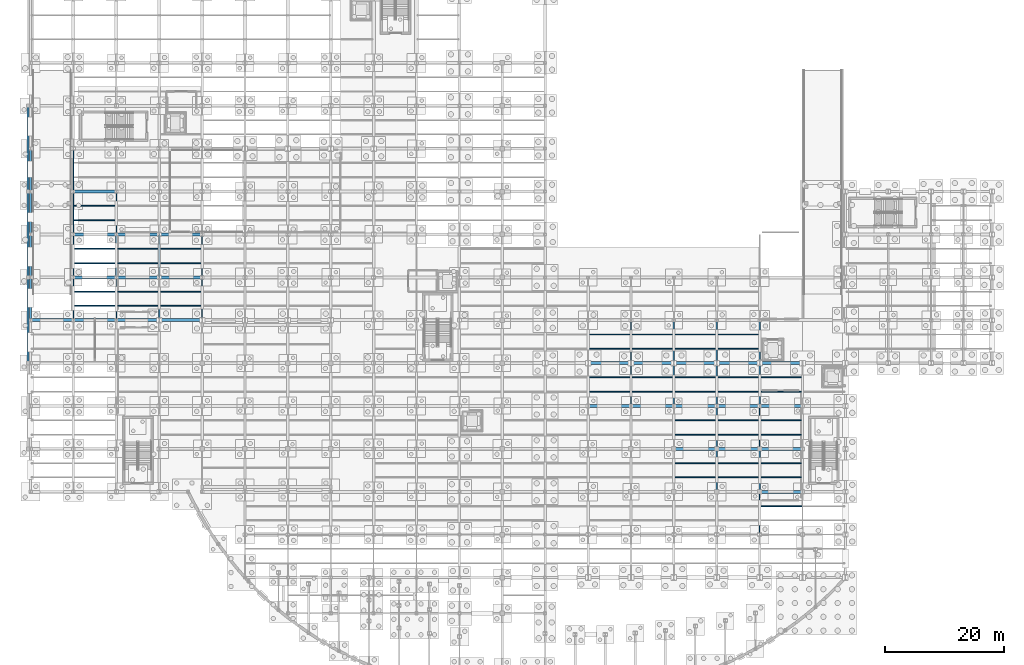
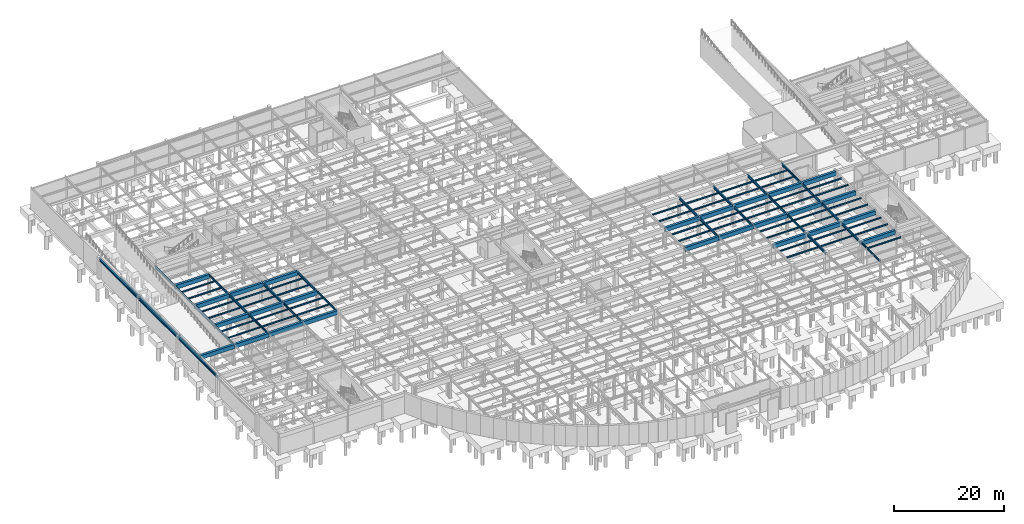
# One storey, part 36 of 64: 101 beams.
"""IFC4 building model written with IfcOpenShell, lengths in metres."""

import ifcopenshell
import ifcopenshell.guid

model = None  # the IFC model being written
_history = None  # IfcOwnerHistory: only IFC2X3 demands one
_inside = {}  # id of a spatial element -> (the spatial element, [elements in it])
_under = {}  # id of a project, library or spatial element -> (it, [spatial elements below it])
_declared = {}  # id of a project -> (the project, [libraries it declares])
_typed = {}  # id of a type object -> (the type object, [elements of that type])
_made_of = {}  # id of a material, layer set ... -> (it, [elements and type objects made of it])


def new_model(schema):
    """Start an empty IFC model of exactly this schema.

    Asked for "IFC4X3", IfcOpenShell would pick the latest addendum, in which some entities
    have other attributes; the version numbers below select the first issue.
    IFC2X3 requires an IfcOwnerHistory on every rooted entity: one is made here for all.
    """
    global model, _history
    if schema == "IFC4X3":
        model = ifcopenshell.file(schema_version=(4, 3, 0, 0))
    else:
        model = ifcopenshell.file(schema=schema)
    _inside.clear()
    _under.clear()
    _declared.clear()
    _typed.clear()
    _made_of.clear()
    _history = None
    if model.schema == "IFC2X3":
        org = make("IfcOrganization", Name="unknown")
        user = make(
            "IfcPersonAndOrganization",
            ThePerson=make("IfcPerson", FamilyName="unknown"),
            TheOrganization=org,
        )
        app = make(
            "IfcApplication",
            ApplicationDeveloper=org,
            Version="unknown",
            ApplicationFullName="unknown",
            ApplicationIdentifier="unknown",
        )
        _history = make(
            "IfcOwnerHistory",
            OwningUser=user,
            OwningApplication=app,
            ChangeAction="ADDED",
            CreationDate=0,
        )
    return model


def make(cls, **values):
    """One entity of the class cls with the attributes given. An attribute that is None is left unset."""
    return model.create_entity(
        cls, **{name: value for name, value in values.items() if value is not None}
    )


def rooted(cls, **values):
    """An entity with a GlobalId (a new one), such as an element, a storey or a relation."""
    return make(cls, GlobalId=ifcopenshell.guid.new(), OwnerHistory=_history, **values)


def si_unit(unit_type, name, prefix=None):
    """IfcSIUnit, for example si_unit("LENGTHUNIT", "METRE", prefix="MILLI")."""
    return make("IfcSIUnit", UnitType=unit_type, Prefix=prefix, Name=name)


def assignment(units):
    """IfcUnitAssignment: the units of a project."""
    return None if units is None else make("IfcUnitAssignment", Units=units)


def point(xyz):
    """IfcCartesianPoint."""
    return None if xyz is None else make("IfcCartesianPoint", Coordinates=xyz)


def direction(xyz):
    """IfcDirection."""
    return None if xyz is None else make("IfcDirection", DirectionRatios=xyz)


def frame(location, z_axis=None, x_axis=None):
    """IfcAxis2Placement3D, a coordinate frame: its origin and axes. An axis left out is left unset."""
    return make(
        "IfcAxis2Placement3D",
        Location=point(location),
        Axis=direction(z_axis),
        RefDirection=direction(x_axis),
    )


def frame_2d(location, x_axis=None):
    """IfcAxis2Placement2D, a coordinate frame in the plane: its origin and x axis."""
    return make(
        "IfcAxis2Placement2D", Location=point(location), RefDirection=direction(x_axis)
    )


def origin():
    """The frame at (0, 0, 0) with its axes left unset."""
    return frame((0.0, 0.0, 0.0))


def origin_2d():
    """The frame at (0, 0) in the plane with its x axis left unset."""
    return frame_2d((0.0, 0.0))


def place(relative_to, where):
    """IfcLocalPlacement: puts the frame where relative to a parent placement (None: the world)."""
    return make(
        "IfcLocalPlacement", PlacementRelTo=relative_to, RelativePlacement=where
    )


def context(
    kind, dimensions, precision=None, world=None, true_north=None, identifier=None
):
    """IfcGeometricRepresentationContext, for example the 3D "Model" context."""
    return make(
        "IfcGeometricRepresentationContext",
        ContextIdentifier=identifier,
        ContextType=kind,
        CoordinateSpaceDimension=dimensions,
        Precision=precision,
        WorldCoordinateSystem=world,
        TrueNorth=true_north,
    )


def subcontext(parent, identifier, kind, view, scale=None):
    """IfcGeometricRepresentationSubContext, for example "Body" below "Model"."""
    return make(
        "IfcGeometricRepresentationSubContext",
        ContextIdentifier=identifier,
        ContextType=kind,
        ParentContext=parent,
        TargetScale=scale,
        TargetView=view,
    )


def project(units=None, contexts=None):
    """IfcProject with its units and contexts."""
    return rooted(
        "IfcProject",
        Name="project",
        RepresentationContexts=contexts,
        UnitsInContext=assignment(units),
    )


def spatial(cls, under=None, at=None, **own):
    """A site, building, storey or space (cls), placed at a placement, below another one or the project."""
    s = rooted(cls, ObjectPlacement=at, **own)
    if under is not None:
        _under.setdefault(under.id(), (under, []))[1].append(s)
    return s


def profile(cls, at=None, kind="AREA", **sizes):
    """A parametric profile (cls). Its sizes go by their IFC names, for example OverallWidth=200.0."""
    return make(cls, ProfileType=kind, Position=at, **sizes)


def rectangle(**sizes):
    """IfcRectangleProfileDef."""
    return profile("IfcRectangleProfileDef", **sizes)


def i_section(**sizes):
    """IfcIShapeProfileDef."""
    return profile("IfcIShapeProfileDef", **sizes)


def extrude(swept, where, along, depth):
    """IfcExtrudedAreaSolid: the profile swept, set in the frame where, extruded along a direction by depth."""
    return make(
        "IfcExtrudedAreaSolid",
        SweptArea=swept,
        Position=where,
        ExtrudedDirection=direction(along),
        Depth=depth,
    )


def shape(context_of_items, identifier, shape_type, items):
    """IfcShapeRepresentation: the items that make up one representation, for example the "Body"."""
    return make(
        "IfcShapeRepresentation",
        ContextOfItems=context_of_items,
        RepresentationIdentifier=identifier,
        RepresentationType=shape_type,
        Items=items,
    )


def material(Name=None, Category=None):
    """IfcMaterial."""
    return make("IfcMaterial", Name=Name, Category=Category)


def material_profile(
    of_material, cross_section, Name=None, Category=None, Priority=None
):
    """IfcMaterialProfile: a cross section and its material."""
    return make(
        "IfcMaterialProfile",
        Name=Name,
        Material=of_material,
        Profile=cross_section,
        Priority=Priority,
        Category=Category,
    )


def profile_set(profiles, Name=None, composite=None):
    """IfcMaterialProfileSet."""
    return make(
        "IfcMaterialProfileSet",
        Name=Name,
        MaterialProfiles=profiles,
        CompositeProfile=composite,
    )


def made_of(thing, what):
    """Note that an element or type object is made of a material, layer set ...; save() writes the relation."""
    if what is not None:
        _made_of.setdefault(what.id(), (what, []))[1].append(thing)
    return thing


def type_object(cls, material=None, **own):
    """A type object (cls), such as IfcWallType, which elements share."""
    return made_of(rooted(cls, **own), material)


def element(
    cls,
    number,
    at=None,
    inside=None,
    cuts=None,
    type_object=None,
    material=None,
    context=None,
    identifier="Body",
    shape_type=None,
    held_by="IfcProductDefinitionShape",
    body=None,
    shapes=None,
    **own,
):
    """One element of the class cls, such as IfcWall. Its Tag is "e" and its number.

    at: its placement. inside: the storey or other place that contains it. cuts: it is an
    opening in that element (IfcRelVoidsElement). A single representation is given by context,
    identifier, shape_type and body (its items); several are given by shapes. held_by: the class
    of the entity that holds the representations. save() writes the other relations.
    """
    e = rooted(cls, Tag="e%d" % number, ObjectPlacement=at, **own)
    if body is not None:
        shapes = [shape(context, identifier, shape_type, body)]
    if shapes is not None:
        e.Representation = make(held_by, Representations=shapes)
    if inside is not None:
        _inside.setdefault(inside.id(), (inside, []))[1].append(e)
    if cuts is not None:
        rooted(
            "IfcRelVoidsElement", RelatingBuildingElement=cuts, RelatedOpeningElement=e
        )
    if type_object is not None:
        _typed.setdefault(type_object.id(), (type_object, []))[1].append(e)
    return made_of(e, material)


def aggregate(whole, parts):
    """IfcRelAggregates: a whole, such as a stair, and the parts it consists of."""
    return rooted("IfcRelAggregates", RelatingObject=whole, RelatedObjects=parts)


def save(model, path):
    """Write the relations noted so far, then the file.

    IfcRelAggregates (storeys below a building ...), IfcRelContainedInSpatialStructure (elements
    in a storey), IfcRelDefinesByType, IfcRelAssociatesMaterial and IfcRelDeclares: one each for
    every whole, place, type object, material and project.
    """
    for whole, parts in _under.values():
        aggregate(whole, parts)
    for where, things in _inside.values():
        rooted(
            "IfcRelContainedInSpatialStructure",
            RelatedElements=things,
            RelatingStructure=where,
        )
    for kind, things in _typed.values():
        rooted("IfcRelDefinesByType", RelatedObjects=things, RelatingType=kind)
    for what, things in _made_of.values():
        rooted("IfcRelAssociatesMaterial", RelatedObjects=things, RelatingMaterial=what)
    for by, libraries in _declared.values():
        rooted("IfcRelDeclares", RelatingContext=by, RelatedDefinitions=libraries)
    model.write(path)


model = new_model("IFC4")

# Units and contexts
model_context = context("Model", 3, precision=1e-05, world=origin(), true_north=direction((0.0, 1.0)))
body_context = subcontext(model_context, "Body", "Model", "MODEL_VIEW")
ifc_project = project(units=[si_unit("LENGTHUNIT", "METRE"), si_unit("AREAUNIT", "SQUARE_METRE"), si_unit("VOLUMEUNIT", "CUBIC_METRE"), si_unit("PLANEANGLEUNIT", "RADIAN"), si_unit("MASSUNIT", "GRAM", prefix="KILO")], contexts=[model_context])

# Site, building, storey
site_placement = place(None, origin())
site = spatial("IfcSite", under=ifc_project, at=site_placement, CompositionType="ELEMENT")
building_placement = place(site_placement, origin())
building = spatial("IfcBuilding", under=site, at=building_placement, Name="Solvadek Multi-Sports Hall", CompositionType="ELEMENT")
storey_placement = place(building_placement, frame((0.0, 0.0, -4.800048828125)))
storey = spatial("IfcBuildingStorey", under=building, at=storey_placement, Name="B1", CompositionType="ELEMENT", Elevation=-4.800048828125)

# Beams
ifc_material_1 = material(Name="Steel E350 (350 MPa)", Category="steel")
ifc_material_profile_1 = material_profile(ifc_material_1, i_section(OverallWidth=0.18994140625, OverallDepth=0.449951171875, WebThickness=0.009521484375, FlangeThickness=0.0146484375, at=origin_2d()), Name="NPB 450")
ifc_profile_set_1 = profile_set([ifc_material_profile_1], Name="Steel E350 (350 MPa)")
beam_type_1 = type_object("IfcBeamType", Name="STR-BM-NPB450", PredefinedType="BEAM", material=ifc_profile_set_1)
for number, where, z_axis, x_axis, name in (
    (1, (7.199951171875, 49.199951171875, 4.324951171875), (0.0, 1.0, 0.0), (-1.0, 0.0, 0.0), "B1 Girder B-08 #273"),
    (2, (7.199951171875, 63.60009765625, 4.324951171875), (0.0, 1.0, 0.0), (-1.0, 0.0, 0.0), "B1 Girder B-08 #275"),
    (3, (14.39990234375, 49.199951171875, 4.324951171875), (0.0, 1.0, 0.0), (-1.0, 0.0, 0.0), "B1 Girder B-08 #285"),
    (4, (14.39990234375, 63.60009765625, 4.324951171875), (0.0, 1.0, 0.0), (-1.0, 0.0, 0.0), "B1 Girder B-08 #287"),
    (5, (21.60009765625, 49.199951171875, 4.324951171875), (0.0, 1.0, 0.0), (-1.0, 0.0, 0.0), "B1 Girder B-08 #296"),
    (6, (28.800048828125, 49.199951171875, 4.324951171875), (0.0, 1.0, 0.0), (-1.0, 0.0, 0.0), "B1 Girder B-08 #308"),
    (7, (115.199951171875, 27.60009765625, 4.324951171875), (0.0, 1.0, 0.0), (-1.0, 0.0, 0.0), "B1 Girder B-08 #480"),
    (8, (122.39990234375, 13.199951171875, 4.324951171875), (0.0, 1.0, 0.0), (-1.0, 0.0, 0.0), "B1 Girder B-08 #487"),
    (9, (122.39990234375, 27.60009765625, 4.324951171875), (0.0, 1.0, 0.0), (-1.0, 0.0, 0.0), "B1 Girder B-08 #489"),
):
    element("IfcBeam", number, at=place(storey_placement, frame(where, z_axis=z_axis, x_axis=x_axis)), inside=storey, type_object=beam_type_1, Name=name, PredefinedType="BEAM", context=body_context, shape_type="SweptSolid", body=[
        extrude(i_section(OverallWidth=0.18994140625, OverallDepth=0.449951171875, WebThickness=0.009521484375, FlangeThickness=0.0146484375, at=origin_2d()), origin(), (0.0, 0.0, 1.0), 7.199951171875),
    ])
ifc_material_profile_2 = material_profile(ifc_material_1, i_section(OverallWidth=0.2099609375, OverallDepth=0.550048828125, WebThickness=0.010986328125, FlangeThickness=0.01708984375, at=origin_2d()), Name="NPB 550")
ifc_profile_set_2 = profile_set([ifc_material_profile_2], Name="Steel E350 (350 MPa)")
beam_type_2 = type_object("IfcBeamType", Name="STR-BM-NPB550", PredefinedType="BEAM", material=ifc_profile_set_2)
beam_1_placement = place(storey_placement, frame((7.199951171875, 56.39990234375, 4.275146484375), z_axis=(0.0, 1.0, 0.0), x_axis=(-1.0, 0.0, 0.0)))
element("IfcBeam", 10, at=beam_1_placement, inside=storey, type_object=beam_type_2, Name="B1 Girder B-05 #274", PredefinedType="BEAM", context=body_context, shape_type="SweptSolid", body=[
    extrude(i_section(OverallWidth=0.2099609375, OverallDepth=0.550048828125, WebThickness=0.010986328125, FlangeThickness=0.01708984375, at=origin_2d()), origin(), (0.0, 0.0, 1.0), 7.2001953125),
])
beam_2_placement = place(storey_placement, frame((7.199951171875, 70.800048828125, 4.275146484375), z_axis=(0.0, 1.0, 0.0), x_axis=(-1.0, 0.0, 0.0)))
element("IfcBeam", 11, at=beam_2_placement, inside=storey, type_object=beam_type_2, Name="B1 Girder B-05 #276", PredefinedType="BEAM", context=body_context, shape_type="SweptSolid", body=[
    extrude(i_section(OverallWidth=0.2099609375, OverallDepth=0.550048828125, WebThickness=0.010986328125, FlangeThickness=0.01708984375, at=origin_2d()), origin(), (0.0, 0.0, 1.0), 7.199951171875),
])
for number, where, z_axis, x_axis, name in (
    (12, (14.39990234375, 56.39990234375, 4.275146484375), (0.0, 1.0, 0.0), (-1.0, 0.0, 0.0), "B1 Girder B-05 #286"),
    (13, (21.60009765625, 56.39990234375, 4.275146484375), (0.0, 1.0, 0.0), (-1.0, 0.0, 0.0), "B1 Girder B-05 #297"),
    (14, (28.800048828125, 56.39990234375, 4.275146484375), (0.0, 1.0, 0.0), (-1.0, 0.0, 0.0), "B1 Girder B-05 #309"),
):
    element("IfcBeam", number, at=place(storey_placement, frame(where, z_axis=z_axis, x_axis=x_axis)), inside=storey, type_object=beam_type_2, Name=name, PredefinedType="BEAM", context=body_context, shape_type="SweptSolid", body=[
        extrude(i_section(OverallWidth=0.2099609375, OverallDepth=0.550048828125, WebThickness=0.010986328125, FlangeThickness=0.01708984375, at=origin_2d()), origin(), (0.0, 0.0, 1.0), 7.2001953125),
    ])
for number, where, z_axis, x_axis, name in (
    (15, (100.800048828125, 34.800048828125, 4.275146484375), (0.0, 1.0, 0.0), (-1.0, 0.0, 0.0), "B1 Girder B-05 #464"),
    (16, (100.800048828125, 42.0, 4.275146484375), (0.0, 1.0, 0.0), (-1.0, 0.0, 0.0), "B1 Girder B-05 #465"),
    (17, (108.0, 34.800048828125, 4.275146484375), (0.0, 1.0, 0.0), (-1.0, 0.0, 0.0), "B1 Girder B-05 #473"),
    (18, (108.0, 42.0, 4.275146484375), (0.0, 1.0, 0.0), (-1.0, 0.0, 0.0), "B1 Girder B-05 #474"),
):
    element("IfcBeam", number, at=place(storey_placement, frame(where, z_axis=z_axis, x_axis=x_axis)), inside=storey, type_object=beam_type_2, Name=name, PredefinedType="BEAM", context=body_context, shape_type="SweptSolid", body=[
        extrude(i_section(OverallWidth=0.2099609375, OverallDepth=0.550048828125, WebThickness=0.010986328125, FlangeThickness=0.01708984375, at=origin_2d()), origin(), (0.0, 0.0, 1.0), 7.199951171875),
    ])
beam_3_placement = place(storey_placement, frame((115.199951171875, 20.39990234375, 4.275146484375), z_axis=(0.0, 1.0, 0.0), x_axis=(-1.0, 0.0, 0.0)))
element("IfcBeam", 19, at=beam_3_placement, inside=storey, type_object=beam_type_2, Name="B1 Girder B-05 #479", PredefinedType="BEAM", context=body_context, shape_type="SweptSolid", body=[
    extrude(i_section(OverallWidth=0.2099609375, OverallDepth=0.550048828125, WebThickness=0.010986328125, FlangeThickness=0.01708984375, at=origin_2d()), origin(), (0.0, 0.0, 1.0), 7.2001953125),
])
for number, where, z_axis, x_axis, name in (
    (20, (115.199951171875, 34.800048828125, 4.275146484375), (0.0, 1.0, 0.0), (-1.0, 0.0, 0.0), "B1 Girder B-05 #481"),
    (21, (115.199951171875, 42.0, 4.275146484375), (0.0, 1.0, 0.0), (-1.0, 0.0, 0.0), "B1 Girder B-05 #482"),
):
    element("IfcBeam", number, at=place(storey_placement, frame(where, z_axis=z_axis, x_axis=x_axis)), inside=storey, type_object=beam_type_2, Name=name, PredefinedType="BEAM", context=body_context, shape_type="SweptSolid", body=[
        extrude(i_section(OverallWidth=0.2099609375, OverallDepth=0.550048828125, WebThickness=0.010986328125, FlangeThickness=0.01708984375, at=origin_2d()), origin(), (0.0, 0.0, 1.0), 7.199951171875),
    ])
beam_4_placement = place(storey_placement, frame((122.39990234375, 20.39990234375, 4.275146484375), z_axis=(0.0, 1.0, 0.0), x_axis=(-1.0, 0.0, 0.0)))
element("IfcBeam", 22, at=beam_4_placement, inside=storey, type_object=beam_type_2, Name="B1 Girder B-05 #488", PredefinedType="BEAM", context=body_context, shape_type="SweptSolid", body=[
    extrude(i_section(OverallWidth=0.2099609375, OverallDepth=0.550048828125, WebThickness=0.010986328125, FlangeThickness=0.01708984375, at=origin_2d()), origin(), (0.0, 0.0, 1.0), 7.2001953125),
])
for number, where, z_axis, x_axis, name in (
    (23, (122.39990234375, 34.800048828125, 4.275146484375), (0.0, 1.0, 0.0), (-1.0, 0.0, 0.0), "B1 Girder B-05 #490"),
    (24, (122.39990234375, 42.0, 4.275146484375), (0.0, 1.0, 0.0), (-1.0, 0.0, 0.0), "B1 Girder B-05 #491"),
):
    element("IfcBeam", number, at=place(storey_placement, frame(where, z_axis=z_axis, x_axis=x_axis)), inside=storey, type_object=beam_type_2, Name=name, PredefinedType="BEAM", context=body_context, shape_type="SweptSolid", body=[
        extrude(i_section(OverallWidth=0.2099609375, OverallDepth=0.550048828125, WebThickness=0.010986328125, FlangeThickness=0.01708984375, at=origin_2d()), origin(), (0.0, 0.0, 1.0), 7.199951171875),
    ])
ifc_material_profile_3 = material_profile(ifc_material_1, i_section(OverallWidth=0.159912109375, OverallDepth=0.330078125, WebThickness=0.007568359375, FlangeThickness=0.011474609375, at=origin_2d()), Name="NPB 330")
ifc_profile_set_3 = profile_set([ifc_material_profile_3], Name="Steel E350 (350 MPa)")
beam_type_3 = type_object("IfcBeamType", Name="STR-JST-NPB330", PredefinedType="JOIST", material=ifc_profile_set_3)
beam_5_placement = place(storey_placement, frame((122.4951171875, 18.0, 4.385009765625), z_axis=(1.0, 0.0, 0.0), x_axis=(0.0, 1.0, 0.0)))
element("IfcBeam", 25, at=beam_5_placement, inside=storey, type_object=beam_type_3, Name="B1 Composite Joist J-02 #58", PredefinedType="JOIST", context=body_context, shape_type="SweptSolid", body=[
    extrude(i_section(OverallWidth=0.159912109375, OverallDepth=0.330078125, WebThickness=0.007568359375, FlangeThickness=0.011474609375, at=origin_2d()), origin(), (0.0, 0.0, 1.0), 7.009765625),
])
for number, where, z_axis, x_axis, name in (
    (26, (108.10498046875, 22.800048828125, 4.385009765625), (1.0, 0.0, 0.0), (0.0, 1.0, 0.0), "B1 Composite Joist J-02 #79"),
    (27, (108.10498046875, 25.199951171875, 4.385009765625), (1.0, 0.0, 0.0), (0.0, 1.0, 0.0), "B1 Composite Joist J-02 #80"),
    (28, (115.304931640625, 22.800048828125, 4.385009765625), (1.0, 0.0, 0.0), (0.0, 1.0, 0.0), "B1 Composite Joist J-02 #81"),
    (29, (115.304931640625, 25.199951171875, 4.385009765625), (1.0, 0.0, 0.0), (0.0, 1.0, 0.0), "B1 Composite Joist J-02 #82"),
):
    element("IfcBeam", number, at=place(storey_placement, frame(where, z_axis=z_axis, x_axis=x_axis)), inside=storey, type_object=beam_type_3, Name=name, PredefinedType="JOIST", context=body_context, shape_type="SweptSolid", body=[
        extrude(i_section(OverallWidth=0.159912109375, OverallDepth=0.330078125, WebThickness=0.007568359375, FlangeThickness=0.011474609375, at=origin_2d()), origin(), (0.0, 0.0, 1.0), 6.989990234375),
    ])
for number, where, z_axis, x_axis, name in (
    (30, (122.5048828125, 22.800048828125, 4.385009765625), (1.0, 0.0, 0.0), (0.0, 1.0, 0.0), "B1 Composite Joist J-02 #83"),
    (31, (122.5048828125, 25.199951171875, 4.385009765625), (1.0, 0.0, 0.0), (0.0, 1.0, 0.0), "B1 Composite Joist J-02 #84"),
):
    element("IfcBeam", number, at=place(storey_placement, frame(where, z_axis=z_axis, x_axis=x_axis)), inside=storey, type_object=beam_type_3, Name=name, PredefinedType="JOIST", context=body_context, shape_type="SweptSolid", body=[
        extrude(i_section(OverallWidth=0.159912109375, OverallDepth=0.330078125, WebThickness=0.007568359375, FlangeThickness=0.011474609375, at=origin_2d()), origin(), (0.0, 0.0, 1.0), 6.990234375),
    ])
for number, where, z_axis, x_axis, name in (
    (32, (108.094970703125, 30.0, 4.385009765625), (1.0, 0.0, 0.0), (0.0, 1.0, 0.0), "B1 Composite Joist J-02 #115"),
    (33, (108.094970703125, 32.39990234375, 4.385009765625), (1.0, 0.0, 0.0), (0.0, 1.0, 0.0), "B1 Composite Joist J-02 #116"),
    (34, (115.294921875, 30.0, 4.385009765625), (1.0, 0.0, 0.0), (0.0, 1.0, 0.0), "B1 Composite Joist J-02 #117"),
    (35, (115.294921875, 32.39990234375, 4.385009765625), (1.0, 0.0, 0.0), (0.0, 1.0, 0.0), "B1 Composite Joist J-02 #118"),
):
    element("IfcBeam", number, at=place(storey_placement, frame(where, z_axis=z_axis, x_axis=x_axis)), inside=storey, type_object=beam_type_3, Name=name, PredefinedType="JOIST", context=body_context, shape_type="SweptSolid", body=[
        extrude(i_section(OverallWidth=0.159912109375, OverallDepth=0.330078125, WebThickness=0.007568359375, FlangeThickness=0.011474609375, at=origin_2d()), origin(), (0.0, 0.0, 1.0), 7.010009765625),
    ])
for number, where, z_axis, x_axis, name in (
    (36, (122.4951171875, 30.0, 4.385009765625), (1.0, 0.0, 0.0), (0.0, 1.0, 0.0), "B1 Composite Joist J-02 #119"),
    (37, (122.4951171875, 32.39990234375, 4.385009765625), (1.0, 0.0, 0.0), (0.0, 1.0, 0.0), "B1 Composite Joist J-02 #120"),
):
    element("IfcBeam", number, at=place(storey_placement, frame(where, z_axis=z_axis, x_axis=x_axis)), inside=storey, type_object=beam_type_3, Name=name, PredefinedType="JOIST", context=body_context, shape_type="SweptSolid", body=[
        extrude(i_section(OverallWidth=0.159912109375, OverallDepth=0.330078125, WebThickness=0.007568359375, FlangeThickness=0.011474609375, at=origin_2d()), origin(), (0.0, 0.0, 1.0), 7.009765625),
    ])
for number, where, z_axis, x_axis, name in (
    (38, (93.705078125, 37.199951171875, 4.385009765625), (1.0, 0.0, 0.0), (0.0, 1.0, 0.0), "B1 Composite Joist J-02 #147"),
    (39, (93.705078125, 39.60009765625, 4.385009765625), (1.0, 0.0, 0.0), (0.0, 1.0, 0.0), "B1 Composite Joist J-02 #148"),
    (40, (100.905029296875, 37.199951171875, 4.385009765625), (1.0, 0.0, 0.0), (0.0, 1.0, 0.0), "B1 Composite Joist J-02 #149"),
    (41, (100.905029296875, 39.60009765625, 4.385009765625), (1.0, 0.0, 0.0), (0.0, 1.0, 0.0), "B1 Composite Joist J-02 #150"),
    (42, (108.10498046875, 37.199951171875, 4.385009765625), (1.0, 0.0, 0.0), (0.0, 1.0, 0.0), "B1 Composite Joist J-02 #151"),
    (43, (108.10498046875, 39.60009765625, 4.385009765625), (1.0, 0.0, 0.0), (0.0, 1.0, 0.0), "B1 Composite Joist J-02 #152"),
    (44, (115.304931640625, 37.199951171875, 4.385009765625), (1.0, 0.0, 0.0), (0.0, 1.0, 0.0), "B1 Composite Joist J-02 #153"),
    (45, (115.304931640625, 39.60009765625, 4.385009765625), (1.0, 0.0, 0.0), (0.0, 1.0, 0.0), "B1 Composite Joist J-02 #154"),
):
    element("IfcBeam", number, at=place(storey_placement, frame(where, z_axis=z_axis, x_axis=x_axis)), inside=storey, type_object=beam_type_3, Name=name, PredefinedType="JOIST", context=body_context, shape_type="SweptSolid", body=[
        extrude(i_section(OverallWidth=0.159912109375, OverallDepth=0.330078125, WebThickness=0.007568359375, FlangeThickness=0.011474609375, at=origin_2d()), origin(), (0.0, 0.0, 1.0), 6.989990234375),
    ])
for number, where, z_axis, x_axis, name in (
    (46, (122.5048828125, 37.199951171875, 4.385009765625), (1.0, 0.0, 0.0), (0.0, 1.0, 0.0), "B1 Composite Joist J-02 #155"),
    (47, (122.5048828125, 39.60009765625, 4.385009765625), (1.0, 0.0, 0.0), (0.0, 1.0, 0.0), "B1 Composite Joist J-02 #156"),
):
    element("IfcBeam", number, at=place(storey_placement, frame(where, z_axis=z_axis, x_axis=x_axis)), inside=storey, type_object=beam_type_3, Name=name, PredefinedType="JOIST", context=body_context, shape_type="SweptSolid", body=[
        extrude(i_section(OverallWidth=0.159912109375, OverallDepth=0.330078125, WebThickness=0.007568359375, FlangeThickness=0.011474609375, at=origin_2d()), origin(), (0.0, 0.0, 1.0), 6.990234375),
    ])
for number, where, z_axis, x_axis, name in (
    (48, (93.705078125, 44.39990234375, 4.385009765625), (1.0, 0.0, 0.0), (0.0, 1.0, 0.0), "B1 Composite Joist J-02 #175"),
    (49, (93.705078125, 46.800048828125, 4.385009765625), (1.0, 0.0, 0.0), (0.0, 1.0, 0.0), "B1 Composite Joist J-02 #176"),
    (50, (100.905029296875, 44.39990234375, 4.385009765625), (1.0, 0.0, 0.0), (0.0, 1.0, 0.0), "B1 Composite Joist J-02 #177"),
    (51, (100.905029296875, 46.800048828125, 4.385009765625), (1.0, 0.0, 0.0), (0.0, 1.0, 0.0), "B1 Composite Joist J-02 #178"),
    (52, (108.10498046875, 44.39990234375, 4.385009765625), (1.0, 0.0, 0.0), (0.0, 1.0, 0.0), "B1 Composite Joist J-02 #179"),
    (53, (108.10498046875, 46.800048828125, 4.385009765625), (1.0, 0.0, 0.0), (0.0, 1.0, 0.0), "B1 Composite Joist J-02 #180"),
    (54, (115.304931640625, 44.39990234375, 4.385009765625), (1.0, 0.0, 0.0), (0.0, 1.0, 0.0), "B1 Composite Joist J-02 #181"),
    (55, (115.304931640625, 46.800048828125, 4.385009765625), (1.0, 0.0, 0.0), (0.0, 1.0, 0.0), "B1 Composite Joist J-02 #182"),
):
    element("IfcBeam", number, at=place(storey_placement, frame(where, z_axis=z_axis, x_axis=x_axis)), inside=storey, type_object=beam_type_3, Name=name, PredefinedType="JOIST", context=body_context, shape_type="SweptSolid", body=[
        extrude(i_section(OverallWidth=0.159912109375, OverallDepth=0.330078125, WebThickness=0.007568359375, FlangeThickness=0.011474609375, at=origin_2d()), origin(), (0.0, 0.0, 1.0), 6.989990234375),
    ])
for number, where, z_axis, x_axis, name in (
    (56, (7.294921875, 51.60009765625, 4.385009765625), (1.0, 0.0, 0.0), (0.0, 1.0, 0.0), "B1 Composite Joist J-02 #191"),
    (57, (7.294921875, 54.0, 4.385009765625), (1.0, 0.0, 0.0), (0.0, 1.0, 0.0), "B1 Composite Joist J-02 #192"),
):
    element("IfcBeam", number, at=place(storey_placement, frame(where, z_axis=z_axis, x_axis=x_axis)), inside=storey, type_object=beam_type_3, Name=name, PredefinedType="JOIST", context=body_context, shape_type="SweptSolid", body=[
        extrude(i_section(OverallWidth=0.159912109375, OverallDepth=0.330078125, WebThickness=0.007568359375, FlangeThickness=0.011474609375, at=origin_2d()), origin(), (0.0, 0.0, 1.0), 7.010009765625),
    ])
for number, where, z_axis, x_axis, name in (
    (58, (14.4951171875, 51.60009765625, 4.385009765625), (1.0, 0.0, 0.0), (0.0, 1.0, 0.0), "B1 Composite Joist J-02 #193"),
    (59, (14.4951171875, 54.0, 4.385009765625), (1.0, 0.0, 0.0), (0.0, 1.0, 0.0), "B1 Composite Joist J-02 #194"),
):
    element("IfcBeam", number, at=place(storey_placement, frame(where, z_axis=z_axis, x_axis=x_axis)), inside=storey, type_object=beam_type_3, Name=name, PredefinedType="JOIST", context=body_context, shape_type="SweptSolid", body=[
        extrude(i_section(OverallWidth=0.159912109375, OverallDepth=0.330078125, WebThickness=0.007568359375, FlangeThickness=0.011474609375, at=origin_2d()), origin(), (0.0, 0.0, 1.0), 7.009765625),
    ])
for number, where, z_axis, x_axis, name in (
    (60, (21.695068359375, 51.60009765625, 4.385009765625), (1.0, 0.0, 0.0), (0.0, 1.0, 0.0), "B1 Composite Joist J-02 #195"),
    (61, (21.695068359375, 54.0, 4.385009765625), (1.0, 0.0, 0.0), (0.0, 1.0, 0.0), "B1 Composite Joist J-02 #196"),
):
    element("IfcBeam", number, at=place(storey_placement, frame(where, z_axis=z_axis, x_axis=x_axis)), inside=storey, type_object=beam_type_3, Name=name, PredefinedType="JOIST", context=body_context, shape_type="SweptSolid", body=[
        extrude(i_section(OverallWidth=0.159912109375, OverallDepth=0.330078125, WebThickness=0.007568359375, FlangeThickness=0.011474609375, at=origin_2d()), origin(), (0.0, 0.0, 1.0), 7.010009765625),
    ])
for number, where, z_axis, x_axis, name in (
    (62, (7.304931640625, 58.800048828125, 4.385009765625), (1.0, 0.0, 0.0), (0.0, 1.0, 0.0), "B1 Composite Joist J-02 #227"),
    (63, (7.304931640625, 61.199951171875, 4.385009765625), (1.0, 0.0, 0.0), (0.0, 1.0, 0.0), "B1 Composite Joist J-02 #228"),
):
    element("IfcBeam", number, at=place(storey_placement, frame(where, z_axis=z_axis, x_axis=x_axis)), inside=storey, type_object=beam_type_3, Name=name, PredefinedType="JOIST", context=body_context, shape_type="SweptSolid", body=[
        extrude(i_section(OverallWidth=0.159912109375, OverallDepth=0.330078125, WebThickness=0.007568359375, FlangeThickness=0.011474609375, at=origin_2d()), origin(), (0.0, 0.0, 1.0), 6.989990234375),
    ])
for number, where, z_axis, x_axis, name in (
    (64, (14.5048828125, 58.800048828125, 4.385009765625), (1.0, 0.0, 0.0), (0.0, 1.0, 0.0), "B1 Composite Joist J-02 #229"),
    (65, (14.5048828125, 61.199951171875, 4.385009765625), (1.0, 0.0, 0.0), (0.0, 1.0, 0.0), "B1 Composite Joist J-02 #230"),
):
    element("IfcBeam", number, at=place(storey_placement, frame(where, z_axis=z_axis, x_axis=x_axis)), inside=storey, type_object=beam_type_3, Name=name, PredefinedType="JOIST", context=body_context, shape_type="SweptSolid", body=[
        extrude(i_section(OverallWidth=0.159912109375, OverallDepth=0.330078125, WebThickness=0.007568359375, FlangeThickness=0.011474609375, at=origin_2d()), origin(), (0.0, 0.0, 1.0), 6.990234375),
    ])
for number, where, z_axis, x_axis, name in (
    (66, (21.705078125, 58.800048828125, 4.385009765625), (1.0, 0.0, 0.0), (0.0, 1.0, 0.0), "B1 Composite Joist J-02 #231"),
    (67, (21.705078125, 61.199951171875, 4.385009765625), (1.0, 0.0, 0.0), (0.0, 1.0, 0.0), "B1 Composite Joist J-02 #232"),
):
    element("IfcBeam", number, at=place(storey_placement, frame(where, z_axis=z_axis, x_axis=x_axis)), inside=storey, type_object=beam_type_3, Name=name, PredefinedType="JOIST", context=body_context, shape_type="SweptSolid", body=[
        extrude(i_section(OverallWidth=0.159912109375, OverallDepth=0.330078125, WebThickness=0.007568359375, FlangeThickness=0.011474609375, at=origin_2d()), origin(), (0.0, 0.0, 1.0), 6.989990234375),
    ])
for number, where, z_axis, x_axis, name in (
    (68, (7.294921875, 66.0, 4.385009765625), (1.0, 0.0, 0.0), (0.0, 1.0, 0.0), "B1 Composite Joist J-02 #253"),
    (69, (7.294921875, 68.39990234375, 4.385009765625), (1.0, 0.0, 0.0), (0.0, 1.0, 0.0), "B1 Composite Joist J-02 #254"),
):
    element("IfcBeam", number, at=place(storey_placement, frame(where, z_axis=z_axis, x_axis=x_axis)), inside=storey, type_object=beam_type_3, Name=name, PredefinedType="JOIST", context=body_context, shape_type="SweptSolid", body=[
        extrude(i_section(OverallWidth=0.159912109375, OverallDepth=0.330078125, WebThickness=0.007568359375, FlangeThickness=0.011474609375, at=origin_2d()), origin(), (0.0, 0.0, 1.0), 7.010009765625),
    ])
ifc_material_profile_4 = material_profile(ifc_material_1, i_section(OverallWidth=0.300048828125, OverallDepth=0.39990234375, WebThickness=0.013427734375, FlangeThickness=0.02392578125, at=origin_2d()), Name="WPB 400")
ifc_profile_set_4 = profile_set([ifc_material_profile_4], Name="Steel E350 (350 MPa)")
beam_type_4 = type_object("IfcBeamType", Name="STR-SPN-WPB400", PredefinedType="SPANDREL", material=ifc_profile_set_4)
for number, where, z_axis, x_axis, name in (
    (70, (0.0, 49.199951171875, 4.35009765625), (0.0, 1.0, 0.0), (-1.0, 0.0, 0.0), "B1 Girder SP-02 #261"),
    (71, (0.0, 63.60009765625, 4.35009765625), (0.0, 1.0, 0.0), (-1.0, 0.0, 0.0), "B1 Girder SP-02 #263"),
):
    element("IfcBeam", number, at=place(storey_placement, frame(where, z_axis=z_axis, x_axis=x_axis)), inside=storey, type_object=beam_type_4, Name=name, PredefinedType="SPANDREL", context=body_context, shape_type="SweptSolid", body=[
        extrude(i_section(OverallWidth=0.300048828125, OverallDepth=0.39990234375, WebThickness=0.013427734375, FlangeThickness=0.02392578125, at=origin_2d()), origin(), (0.0, 0.0, 1.0), 7.199951171875),
    ])
ifc_material_profile_5 = material_profile(ifc_material_1, i_section(OverallWidth=0.300048828125, OverallDepth=0.5, WebThickness=0.014404296875, FlangeThickness=0.028076171875, at=origin_2d()), Name="WPB 500")
ifc_profile_set_5 = profile_set([ifc_material_profile_5], Name="Steel E350 (350 MPa)")
beam_type_5 = type_object("IfcBeamType", Name="STR-SPN-WPB500", PredefinedType="SPANDREL", material=ifc_profile_set_5)
beam_6_placement = place(storey_placement, frame((-0.419921875, 42.0, 4.300048828125), z_axis=(0.0, 1.0, 0.0), x_axis=(-1.0, 0.0, 0.0)))
element("IfcBeam", 72, at=beam_6_placement, inside=storey, type_object=beam_type_5, Name="B1 Girder SP-01 #254", PredefinedType="SPANDREL", context=body_context, shape_type="SweptSolid", body=[
    extrude(i_section(OverallWidth=0.300048828125, OverallDepth=0.5, WebThickness=0.014404296875, FlangeThickness=0.028076171875, at=origin_2d()), origin(), (0.0, 0.0, 1.0), 14.39990234375),
])
beam_7_placement = place(storey_placement, frame((-0.419921875, 56.39990234375, 4.300048828125), z_axis=(0.0, 1.0, 0.0), x_axis=(-1.0, 0.0, 0.0)))
element("IfcBeam", 73, at=beam_7_placement, inside=storey, type_object=beam_type_5, Name="B1 Girder SP-01 #255", PredefinedType="SPANDREL", context=body_context, shape_type="SweptSolid", body=[
    extrude(i_section(OverallWidth=0.300048828125, OverallDepth=0.5, WebThickness=0.014404296875, FlangeThickness=0.028076171875, at=origin_2d()), origin(), (0.0, 0.0, 1.0), 14.400146484375),
])
beam_8_placement = place(storey_placement, frame((-0.419921875, 70.800048828125, 4.300048828125), z_axis=(0.0, 1.0, 0.0), x_axis=(-1.0, 0.0, 0.0)))
element("IfcBeam", 74, at=beam_8_placement, inside=storey, type_object=beam_type_5, Name="B1 Girder SP-01 #256", PredefinedType="SPANDREL", context=body_context, shape_type="SweptSolid", body=[
    extrude(i_section(OverallWidth=0.300048828125, OverallDepth=0.5, WebThickness=0.014404296875, FlangeThickness=0.028076171875, at=origin_2d()), origin(), (0.0, 0.0, 1.0), 14.39990234375),
])
beam_9_placement = place(storey_placement, frame((0.0, 56.39990234375, 4.300048828125), z_axis=(0.0, 1.0, 0.0), x_axis=(-1.0, 0.0, 0.0)))
element("IfcBeam", 75, at=beam_9_placement, inside=storey, type_object=beam_type_5, Name="B1 Girder SP-01 #262", PredefinedType="SPANDREL", context=body_context, shape_type="SweptSolid", body=[
    extrude(i_section(OverallWidth=0.300048828125, OverallDepth=0.5, WebThickness=0.014404296875, FlangeThickness=0.028076171875, at=origin_2d()), origin(), (0.0, 0.0, 1.0), 7.2001953125),
])
beam_10_placement = place(storey_placement, frame((0.0, 70.800048828125, 4.300048828125), z_axis=(0.0, 1.0, 0.0), x_axis=(-1.0, 0.0, 0.0)))
element("IfcBeam", 76, at=beam_10_placement, inside=storey, type_object=beam_type_5, Name="B1 Girder SP-01 #264", PredefinedType="SPANDREL", context=body_context, shape_type="SweptSolid", body=[
    extrude(i_section(OverallWidth=0.300048828125, OverallDepth=0.5, WebThickness=0.014404296875, FlangeThickness=0.028076171875, at=origin_2d()), origin(), (0.0, 0.0, 1.0), 7.199951171875),
])
ifc_material_2 = material(Name="Concrete M35", Category="concrete")
ifc_material_profile_6 = material_profile(ifc_material_2, rectangle(XDim=0.5, YDim=0.89990234375, at=origin_2d()), Name="RC T-BEAM 500x900")
ifc_profile_set_6 = profile_set([ifc_material_profile_6], Name="Concrete M35")
beam_type_6 = type_object("IfcBeamType", Name="STR-TBM-500X900", PredefinedType="T_BEAM", material=ifc_profile_set_6)
beam_11_placement = place(storey_placement, frame((122.39990234375, 20.39990234375, 4.10009765625), z_axis=(1.0, 0.0, 0.0), x_axis=(0.0, 1.0, 0.0)))
element("IfcBeam", 77, at=beam_11_placement, inside=storey, type_object=beam_type_6, Name="B1 Girder TB-02 #55", PredefinedType="T_BEAM", context=body_context, shape_type="SweptSolid", body=[
    extrude(rectangle(XDim=0.5, YDim=0.89990234375, at=origin_2d()), origin(), (0.0, 0.0, 1.0), 7.2001953125),
])
for number, where, z_axis, x_axis, name in (
    (78, (108.0, 27.60009765625, 4.10009765625), (1.0, 0.0, 0.0), (0.0, 1.0, 0.0), "B1 Girder TB-02 #74"),
    (79, (115.199951171875, 27.60009765625, 4.10009765625), (1.0, 0.0, 0.0), (0.0, 1.0, 0.0), "B1 Girder TB-02 #75"),
):
    element("IfcBeam", number, at=place(storey_placement, frame(where, z_axis=z_axis, x_axis=x_axis)), inside=storey, type_object=beam_type_6, Name=name, PredefinedType="T_BEAM", context=body_context, shape_type="SweptSolid", body=[
        extrude(rectangle(XDim=0.5, YDim=0.89990234375, at=origin_2d()), origin(), (0.0, 0.0, 1.0), 7.199951171875),
    ])
beam_12_placement = place(storey_placement, frame((122.39990234375, 27.60009765625, 4.10009765625), z_axis=(1.0, 0.0, 0.0), x_axis=(0.0, 1.0, 0.0)))
element("IfcBeam", 80, at=beam_12_placement, inside=storey, type_object=beam_type_6, Name="B1 Girder TB-02 #76", PredefinedType="T_BEAM", context=body_context, shape_type="SweptSolid", body=[
    extrude(rectangle(XDim=0.5, YDim=0.89990234375, at=origin_2d()), origin(), (0.0, 0.0, 1.0), 7.2001953125),
])
for number, where, z_axis, x_axis, name in (
    (81, (93.60009765625, 34.800048828125, 4.10009765625), (1.0, 0.0, 0.0), (0.0, 1.0, 0.0), "B1 Girder TB-02 #90"),
    (82, (100.800048828125, 34.800048828125, 4.10009765625), (1.0, 0.0, 0.0), (0.0, 1.0, 0.0), "B1 Girder TB-02 #91"),
    (83, (108.0, 34.800048828125, 4.10009765625), (1.0, 0.0, 0.0), (0.0, 1.0, 0.0), "B1 Girder TB-02 #92"),
    (84, (115.199951171875, 34.800048828125, 4.10009765625), (1.0, 0.0, 0.0), (0.0, 1.0, 0.0), "B1 Girder TB-02 #93"),
):
    element("IfcBeam", number, at=place(storey_placement, frame(where, z_axis=z_axis, x_axis=x_axis)), inside=storey, type_object=beam_type_6, Name=name, PredefinedType="T_BEAM", context=body_context, shape_type="SweptSolid", body=[
        extrude(rectangle(XDim=0.5, YDim=0.89990234375, at=origin_2d()), origin(), (0.0, 0.0, 1.0), 7.199951171875),
    ])
beam_13_placement = place(storey_placement, frame((122.39990234375, 34.800048828125, 4.10009765625), z_axis=(1.0, 0.0, 0.0), x_axis=(0.0, 1.0, 0.0)))
element("IfcBeam", 85, at=beam_13_placement, inside=storey, type_object=beam_type_6, Name="B1 Girder TB-02 #94", PredefinedType="T_BEAM", context=body_context, shape_type="SweptSolid", body=[
    extrude(rectangle(XDim=0.5, YDim=0.89990234375, at=origin_2d()), origin(), (0.0, 0.0, 1.0), 7.2001953125),
])
for number, where, z_axis, x_axis, name in (
    (86, (93.60009765625, 42.0, 4.10009765625), (1.0, 0.0, 0.0), (0.0, 1.0, 0.0), "B1 Girder TB-02 #109"),
    (87, (100.800048828125, 42.0, 4.10009765625), (1.0, 0.0, 0.0), (0.0, 1.0, 0.0), "B1 Girder TB-02 #110"),
    (88, (108.0, 42.0, 4.10009765625), (1.0, 0.0, 0.0), (0.0, 1.0, 0.0), "B1 Girder TB-02 #111"),
    (89, (115.199951171875, 42.0, 4.10009765625), (1.0, 0.0, 0.0), (0.0, 1.0, 0.0), "B1 Girder TB-02 #112"),
):
    element("IfcBeam", number, at=place(storey_placement, frame(where, z_axis=z_axis, x_axis=x_axis)), inside=storey, type_object=beam_type_6, Name=name, PredefinedType="T_BEAM", context=body_context, shape_type="SweptSolid", body=[
        extrude(rectangle(XDim=0.5, YDim=0.89990234375, at=origin_2d()), origin(), (0.0, 0.0, 1.0), 7.199951171875),
    ])
beam_14_placement = place(storey_placement, frame((122.39990234375, 42.0, 4.10009765625), z_axis=(1.0, 0.0, 0.0), x_axis=(0.0, 1.0, 0.0)))
element("IfcBeam", 90, at=beam_14_placement, inside=storey, type_object=beam_type_6, Name="B1 Girder TB-02 #113", PredefinedType="T_BEAM", context=body_context, shape_type="SweptSolid", body=[
    extrude(rectangle(XDim=0.5, YDim=0.89990234375, at=origin_2d()), origin(), (0.0, 0.0, 1.0), 7.2001953125),
])
for number, where, z_axis, x_axis, name in (
    (91, (0.0, 49.199951171875, 4.10009765625), (1.0, 0.0, 0.0), (0.0, 1.0, 0.0), "B1 Girder TB-02 #122"),
    (92, (7.199951171875, 49.199951171875, 4.10009765625), (1.0, 0.0, 0.0), (0.0, 1.0, 0.0), "B1 Girder TB-02 #123"),
):
    element("IfcBeam", number, at=place(storey_placement, frame(where, z_axis=z_axis, x_axis=x_axis)), inside=storey, type_object=beam_type_6, Name=name, PredefinedType="T_BEAM", context=body_context, shape_type="SweptSolid", body=[
        extrude(rectangle(XDim=0.5, YDim=0.89990234375, at=origin_2d()), origin(), (0.0, 0.0, 1.0), 7.199951171875),
    ])
beam_15_placement = place(storey_placement, frame((14.39990234375, 49.199951171875, 4.10009765625), z_axis=(1.0, 0.0, 0.0), x_axis=(0.0, 1.0, 0.0)))
element("IfcBeam", 93, at=beam_15_placement, inside=storey, type_object=beam_type_6, Name="B1 Girder TB-02 #124", PredefinedType="T_BEAM", context=body_context, shape_type="SweptSolid", body=[
    extrude(rectangle(XDim=0.5, YDim=0.89990234375, at=origin_2d()), origin(), (0.0, 0.0, 1.0), 7.2001953125),
])
for number, where, z_axis, x_axis, name in (
    (94, (21.60009765625, 49.199951171875, 4.10009765625), (1.0, 0.0, 0.0), (0.0, 1.0, 0.0), "B1 Girder TB-02 #125"),
    (95, (7.199951171875, 56.39990234375, 4.10009765625), (1.0, 0.0, 0.0), (0.0, 1.0, 0.0), "B1 Girder TB-02 #143"),
):
    element("IfcBeam", number, at=place(storey_placement, frame(where, z_axis=z_axis, x_axis=x_axis)), inside=storey, type_object=beam_type_6, Name=name, PredefinedType="T_BEAM", context=body_context, shape_type="SweptSolid", body=[
        extrude(rectangle(XDim=0.5, YDim=0.89990234375, at=origin_2d()), origin(), (0.0, 0.0, 1.0), 7.199951171875),
    ])
beam_16_placement = place(storey_placement, frame((14.39990234375, 56.39990234375, 4.10009765625), z_axis=(1.0, 0.0, 0.0), x_axis=(0.0, 1.0, 0.0)))
element("IfcBeam", 96, at=beam_16_placement, inside=storey, type_object=beam_type_6, Name="B1 Girder TB-02 #144", PredefinedType="T_BEAM", context=body_context, shape_type="SweptSolid", body=[
    extrude(rectangle(XDim=0.5, YDim=0.89990234375, at=origin_2d()), origin(), (0.0, 0.0, 1.0), 7.2001953125),
])
for number, where, z_axis, x_axis, name in (
    (97, (21.60009765625, 56.39990234375, 4.10009765625), (1.0, 0.0, 0.0), (0.0, 1.0, 0.0), "B1 Girder TB-02 #145"),
    (98, (7.199951171875, 63.60009765625, 4.10009765625), (1.0, 0.0, 0.0), (0.0, 1.0, 0.0), "B1 Girder TB-02 #163"),
):
    element("IfcBeam", number, at=place(storey_placement, frame(where, z_axis=z_axis, x_axis=x_axis)), inside=storey, type_object=beam_type_6, Name=name, PredefinedType="T_BEAM", context=body_context, shape_type="SweptSolid", body=[
        extrude(rectangle(XDim=0.5, YDim=0.89990234375, at=origin_2d()), origin(), (0.0, 0.0, 1.0), 7.199951171875),
    ])
beam_17_placement = place(storey_placement, frame((14.39990234375, 63.60009765625, 4.10009765625), z_axis=(1.0, 0.0, 0.0), x_axis=(0.0, 1.0, 0.0)))
element("IfcBeam", 99, at=beam_17_placement, inside=storey, type_object=beam_type_6, Name="B1 Girder TB-02 #164", PredefinedType="T_BEAM", context=body_context, shape_type="SweptSolid", body=[
    extrude(rectangle(XDim=0.5, YDim=0.89990234375, at=origin_2d()), origin(), (0.0, 0.0, 1.0), 7.2001953125),
])
for number, where, z_axis, x_axis, name in (
    (100, (21.60009765625, 63.60009765625, 4.10009765625), (1.0, 0.0, 0.0), (0.0, 1.0, 0.0), "B1 Girder TB-02 #165"),
    (101, (7.199951171875, 70.800048828125, 4.10009765625), (1.0, 0.0, 0.0), (0.0, 1.0, 0.0), "B1 Girder TB-02 #178"),
):
    element("IfcBeam", number, at=place(storey_placement, frame(where, z_axis=z_axis, x_axis=x_axis)), inside=storey, type_object=beam_type_6, Name=name, PredefinedType="T_BEAM", context=body_context, shape_type="SweptSolid", body=[
        extrude(rectangle(XDim=0.5, YDim=0.89990234375, at=origin_2d()), origin(), (0.0, 0.0, 1.0), 7.199951171875),
    ])

save(model, "model.ifc")
